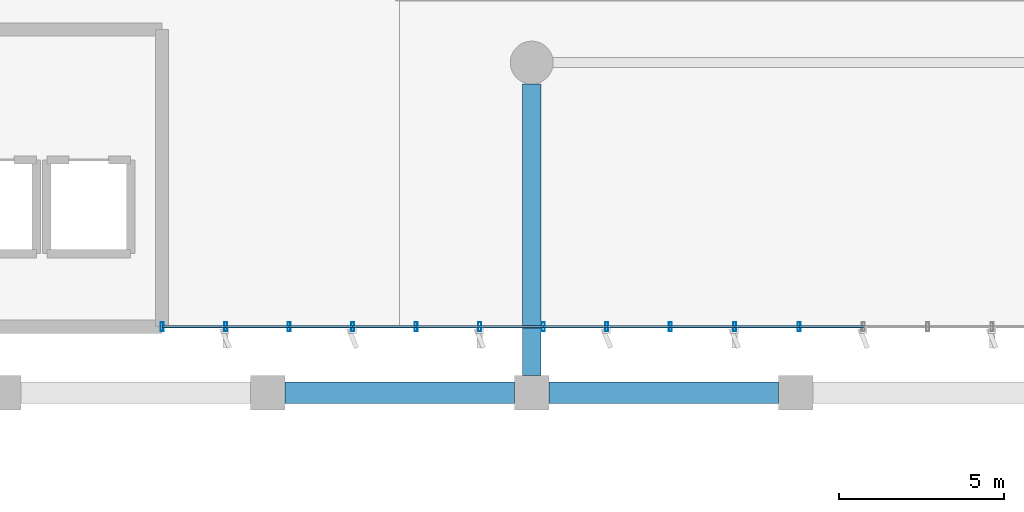
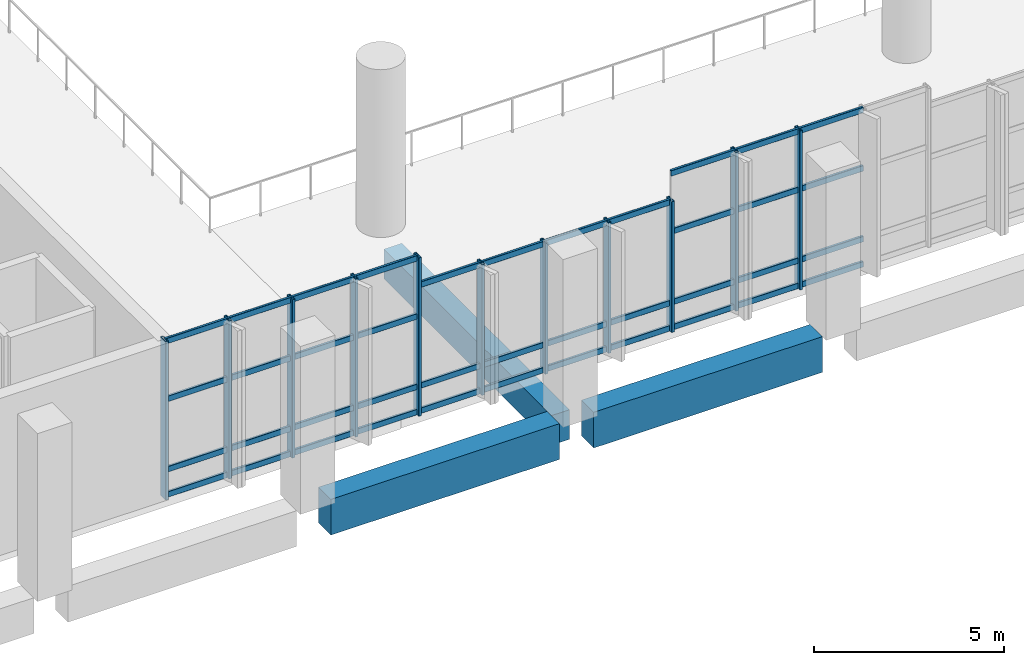
# One storey, part 32 of 176: 51 members, 3 beams, 3 elements without a shape of their own.
"""IFC4 building model written with IfcOpenShell, lengths in metres."""

from ifc_helpers import new_model, si_unit, direction, frame, origin, origin_2d, place, context, subcontext, project, spatial, rectangle, hollow_rectangle, extrude, material, layer, layer_set, material_profile, profile_set, type_object, element, aggregate, save


model = new_model("IFC4")

# Units and contexts
model_context = context("Model", 3, precision=1e-05, world=origin(), true_north=direction((0.0, 1.0)))
body_context = subcontext(model_context, "Body", "Model", "MODEL_VIEW")
ifc_project = project(units=[si_unit("LENGTHUNIT", "METRE"), si_unit("AREAUNIT", "SQUARE_METRE"), si_unit("VOLUMEUNIT", "CUBIC_METRE"), si_unit("PLANEANGLEUNIT", "RADIAN"), si_unit("MASSUNIT", "GRAM", prefix="KILO")], contexts=[model_context])

# Site, building, storey
site_placement = place(None, origin())
site = spatial("IfcSite", under=ifc_project, at=site_placement, CompositionType="ELEMENT")
building_placement = place(site_placement, origin())
building = spatial("IfcBuilding", under=site, at=building_placement, Name="Khorjan Park Terminus", CompositionType="ELEMENT")
storey_placement = place(building_placement, frame((0.0, 0.0, 6.0)))
storey = spatial("IfcBuildingStorey", under=building, at=storey_placement, Name="L01", CompositionType="ELEMENT", Elevation=6.0)

# Beam
ifc_material_1 = material(Name="Concrete C40/50", Category="concrete")
ifc_material_profile_1 = material_profile(ifc_material_1, rectangle(XDim=0.55, YDim=0.95, at=origin_2d()), Name="RC 550x950")
ifc_profile_set_1 = profile_set([ifc_material_profile_1], Name="Concrete C40/50")
beam_type_1 = type_object("IfcBeamType", Name="BM-RC550x950", PredefinedType="BEAM", material=ifc_profile_set_1)
beam_placement = place(storey_placement, frame((80.0, 26.52, -0.815), z_axis=(0.0, 1.0, 0.0), x_axis=(-1.0, 0.0, 0.0)))
element("IfcBeam", 1, at=beam_placement, inside=storey, type_object=beam_type_1, Name="Primary floor girder GB-95 (L01)", PredefinedType="BEAM", context=body_context, shape_type="SweptSolid", body=[
    extrude(rectangle(XDim=0.55, YDim=0.95, at=origin_2d()), origin(), (0.0, 0.0, 1.0), 8.835),
])

# Curtain wall, members
ifc_material_2 = material(Name="Anodized Bronze Aluminium", Category="aluminium")
ifc_layer = layer(ifc_material_2, 0.22)
ifc_layer_set = layer_set([ifc_layer], Name="Anodized Bronze Aluminium")
curtain_wall_type = type_object("IfcCurtainWallType", Name="CW-CONC-A", PredefinedType="NOTDEFINED", material=ifc_layer_set)
curtain_wall_1_placement = place(storey_placement, origin())
curtain_wall_1 = element("IfcCurtainWall", 2, at=curtain_wall_1_placement, inside=storey, type_object=curtain_wall_type, Name="Unitized curtain wall CW-A (CW-V2-S-L01-02)", PredefinedType="NOTDEFINED")
ifc_material_profile_2 = material_profile(ifc_material_2, hollow_rectangle(XDim=0.09, YDim=0.28, WallThickness=0.006, InnerFilletRadius=0.006, OuterFilletRadius=0.012, at=origin_2d()), Name="ALM 90x280x6")
ifc_profile_set_2 = profile_set([ifc_material_profile_2], Name="Anodized Bronze Aluminium")
member_type_1 = type_object("IfcMemberType", Name="ML-ALM-280", PredefinedType="MULLION", material=ifc_profile_set_2)
member_1_placement = place(storey_placement, frame((68.8, 28.0, -0.035), z_axis=(0.0, 0.0, 1.0), x_axis=(1.0, 0.0, 0.0)))
member_1 = element("IfcMember", 3, at=member_1_placement, type_object=member_type_1, Name="Curtain-wall mullion ML-28 (CW-V2-S-L01-02-0)", PredefinedType="MULLION", context=body_context, shape_type="SweptSolid", body=[
    extrude(hollow_rectangle(XDim=0.09, YDim=0.28, WallThickness=0.006, InnerFilletRadius=0.006, OuterFilletRadius=0.012, at=origin_2d()), origin(), (0.0, 0.0, 1.0), 5.095),
])
member_2_placement = place(storey_placement, frame((70.725, 28.0, -0.035), z_axis=(0.0, 0.0, 1.0), x_axis=(1.0, 0.0, 0.0)))
member_2 = element("IfcMember", 4, at=member_2_placement, type_object=member_type_1, Name="Curtain-wall mullion ML-28 (CW-V2-S-L01-02-1)", PredefinedType="MULLION", context=body_context, shape_type="SweptSolid", body=[
    extrude(hollow_rectangle(XDim=0.09, YDim=0.28, WallThickness=0.006, InnerFilletRadius=0.006, OuterFilletRadius=0.012, at=origin_2d()), origin(), (0.0, 0.0, 1.0), 5.095),
])
member_3_placement = place(storey_placement, frame((72.65, 28.0, -0.035), z_axis=(0.0, 0.0, 1.0), x_axis=(1.0, 0.0, 0.0)))
member_3 = element("IfcMember", 5, at=member_3_placement, type_object=member_type_1, Name="Curtain-wall mullion ML-28 (CW-V2-S-L01-02-2)", PredefinedType="MULLION", context=body_context, shape_type="SweptSolid", body=[
    extrude(hollow_rectangle(XDim=0.09, YDim=0.28, WallThickness=0.006, InnerFilletRadius=0.006, OuterFilletRadius=0.012, at=origin_2d()), origin(), (0.0, 0.0, 1.0), 5.095),
])
member_4_placement = place(storey_placement, frame((74.575, 28.0, -0.035), z_axis=(0.0, 0.0, 1.0), x_axis=(1.0, 0.0, 0.0)))
member_4 = element("IfcMember", 6, at=member_4_placement, type_object=member_type_1, Name="Curtain-wall mullion ML-28 (CW-V2-S-L01-02-3)", PredefinedType="MULLION", context=body_context, shape_type="SweptSolid", body=[
    extrude(hollow_rectangle(XDim=0.09, YDim=0.28, WallThickness=0.006, InnerFilletRadius=0.006, OuterFilletRadius=0.012, at=origin_2d()), origin(), (0.0, 0.0, 1.0), 5.095),
])
member_5_placement = place(storey_placement, frame((76.5, 28.0, -0.035), z_axis=(0.0, 0.0, 1.0), x_axis=(1.0, 0.0, 0.0)))
member_5 = element("IfcMember", 7, at=member_5_placement, type_object=member_type_1, Name="Curtain-wall mullion ML-28 (CW-V2-S-L01-02-4)", PredefinedType="MULLION", context=body_context, shape_type="SweptSolid", body=[
    extrude(hollow_rectangle(XDim=0.09, YDim=0.28, WallThickness=0.006, InnerFilletRadius=0.006, OuterFilletRadius=0.012, at=origin_2d()), origin(), (0.0, 0.0, 1.0), 5.095),
])

curtain_wall_2_placement = place(storey_placement, origin())
curtain_wall_2 = element("IfcCurtainWall", 8, at=curtain_wall_2_placement, inside=storey, type_object=curtain_wall_type, Name="Unitized curtain wall CW-A (CW-V2-S-L01-03)", PredefinedType="NOTDEFINED")
member_6_placement = place(storey_placement, frame((78.425, 28.0, -0.035), z_axis=(0.0, 0.0, 1.0), x_axis=(1.0, 0.0, 0.0)))
member_6 = element("IfcMember", 9, at=member_6_placement, type_object=member_type_1, Name="Curtain-wall mullion ML-28 (CW-V2-S-L01-03-1)", PredefinedType="MULLION", context=body_context, shape_type="SweptSolid", body=[
    extrude(hollow_rectangle(XDim=0.09, YDim=0.28, WallThickness=0.006, InnerFilletRadius=0.006, OuterFilletRadius=0.012, at=origin_2d()), origin(), (0.0, 0.0, 1.0), 4.205),
])
member_7_placement = place(storey_placement, frame((80.35, 28.0, -0.035), z_axis=(0.0, 0.0, 1.0), x_axis=(1.0, 0.0, 0.0)))
member_7 = element("IfcMember", 10, at=member_7_placement, type_object=member_type_1, Name="Curtain-wall mullion ML-28 (CW-V2-S-L01-03-2)", PredefinedType="MULLION", context=body_context, shape_type="SweptSolid", body=[
    extrude(hollow_rectangle(XDim=0.09, YDim=0.28, WallThickness=0.006, InnerFilletRadius=0.006, OuterFilletRadius=0.012, at=origin_2d()), origin(), (0.0, 0.0, 1.0), 4.205),
])
member_8_placement = place(storey_placement, frame((82.275, 28.0, -0.035), z_axis=(0.0, 0.0, 1.0), x_axis=(1.0, 0.0, 0.0)))
member_8 = element("IfcMember", 11, at=member_8_placement, type_object=member_type_1, Name="Curtain-wall mullion ML-28 (CW-V2-S-L01-03-3)", PredefinedType="MULLION", context=body_context, shape_type="SweptSolid", body=[
    extrude(hollow_rectangle(XDim=0.09, YDim=0.28, WallThickness=0.006, InnerFilletRadius=0.006, OuterFilletRadius=0.012, at=origin_2d()), origin(), (0.0, 0.0, 1.0), 4.205),
])
member_9_placement = place(storey_placement, frame((84.2, 28.0, -0.035), z_axis=(0.0, 0.0, 1.0), x_axis=(1.0, 0.0, 0.0)))
member_9 = element("IfcMember", 12, at=member_9_placement, type_object=member_type_1, Name="Curtain-wall mullion ML-28 (CW-V2-S-L01-03-4)", PredefinedType="MULLION", context=body_context, shape_type="SweptSolid", body=[
    extrude(hollow_rectangle(XDim=0.09, YDim=0.28, WallThickness=0.006, InnerFilletRadius=0.006, OuterFilletRadius=0.012, at=origin_2d()), origin(), (0.0, 0.0, 1.0), 4.205),
])

curtain_wall_3_placement = place(storey_placement, origin())
curtain_wall_3 = element("IfcCurtainWall", 13, at=curtain_wall_3_placement, inside=storey, type_object=curtain_wall_type, Name="Unitized curtain wall CW-A (CW-V2-S-L01-04)", PredefinedType="NOTDEFINED")
member_10_placement = place(storey_placement, frame((86.15, 28.0, -0.035), z_axis=(0.0, 0.0, 1.0), x_axis=(1.0, 0.0, 0.0)))
member_10 = element("IfcMember", 14, at=member_10_placement, type_object=member_type_1, Name="Curtain-wall mullion ML-28 (CW-V2-S-L01-04-1)", PredefinedType="MULLION", context=body_context, shape_type="SweptSolid", body=[
    extrude(hollow_rectangle(XDim=0.09, YDim=0.28, WallThickness=0.006, InnerFilletRadius=0.006, OuterFilletRadius=0.012, at=origin_2d()), origin(), (0.0, 0.0, 1.0), 5.115),
])
member_11_placement = place(storey_placement, frame((88.1, 28.0, -0.035), z_axis=(0.0, 0.0, 1.0), x_axis=(1.0, 0.0, 0.0)))
member_11 = element("IfcMember", 15, at=member_11_placement, type_object=member_type_1, Name="Curtain-wall mullion ML-28 (CW-V2-S-L01-04-2)", PredefinedType="MULLION", context=body_context, shape_type="SweptSolid", body=[
    extrude(hollow_rectangle(XDim=0.09, YDim=0.28, WallThickness=0.006, InnerFilletRadius=0.006, OuterFilletRadius=0.012, at=origin_2d()), origin(), (0.0, 0.0, 1.0), 5.115),
])

# Beams
ifc_material_3 = material(Name="Concrete C50/60", Category="concrete")
ifc_material_profile_3 = material_profile(ifc_material_3, rectangle(XDim=0.65, YDim=1.15, at=origin_2d()), Name="RC 650x1150")
ifc_profile_set_3 = profile_set([ifc_material_profile_3], Name="Concrete C50/60")
beam_type_2 = type_object("IfcBeamType", Name="SP-RC650x1150", PredefinedType="SPANDREL", material=ifc_profile_set_3)
for number, where, z_axis, x_axis, name in (
    (16, (72.52, 26.0, -0.575), (1.0, 0.0, 0.0), (0.0, 1.0, 0.0), "Concourse lower colonnade ring beam SP-11 (L01-7)"),
    (17, (80.52, 26.0, -0.575), (1.0, 0.0, 0.0), (0.0, 1.0, 0.0), "Concourse lower colonnade ring beam SP-11 (L01-9)"),
):
    element("IfcBeam", number, at=place(storey_placement, frame(where, z_axis=z_axis, x_axis=x_axis)), inside=storey, type_object=beam_type_2, Name=name, PredefinedType="SPANDREL", context=body_context, shape_type="SweptSolid", body=[
        extrude(rectangle(XDim=0.65, YDim=1.15, at=origin_2d()), origin(), (0.0, 0.0, 1.0), 6.96),
    ])

# Member
ifc_material_profile_4 = material_profile(ifc_material_2, hollow_rectangle(XDim=0.075, YDim=0.185, WallThickness=0.005, InnerFilletRadius=0.005, OuterFilletRadius=0.01, at=origin_2d()), Name="ALT 75x185x5")
ifc_profile_set_4 = profile_set([ifc_material_profile_4], Name="Anodized Bronze Aluminium")
member_type_2 = type_object("IfcMemberType", Name="TR-ALT-185", PredefinedType="USERDEFINED", material=ifc_profile_set_4)
member_12_placement = place(storey_placement, frame((68.8, 28.0, 0.04), z_axis=(1.0, 0.0, 0.0), x_axis=(0.0, 1.0, 0.0)))
member_12 = element("IfcMember", 18, at=member_12_placement, type_object=member_type_2, Name="Curtain-wall transom TR-18 (CW-V2-S-L01-02-0-1)", ObjectType="TRANSOM", PredefinedType="USERDEFINED", context=body_context, shape_type="SweptSolid", body=[
    extrude(hollow_rectangle(XDim=0.075, YDim=0.185, WallThickness=0.005, InnerFilletRadius=0.005, OuterFilletRadius=0.01, at=origin_2d()), origin(), (0.0, 0.0, 1.0), 1.925),
])

member_13_placement = place(storey_placement, frame((68.8, 28.0, 0.85), z_axis=(1.0, 0.0, 0.0), x_axis=(0.0, 1.0, 0.0)))
member_13 = element("IfcMember", 19, at=member_13_placement, type_object=member_type_2, Name="Curtain-wall transom TR-18 (CW-V2-S-L01-02-0-2)", ObjectType="TRANSOM", PredefinedType="USERDEFINED", context=body_context, shape_type="SweptSolid", body=[
    extrude(hollow_rectangle(XDim=0.075, YDim=0.185, WallThickness=0.005, InnerFilletRadius=0.005, OuterFilletRadius=0.01, at=origin_2d()), origin(), (0.0, 0.0, 1.0), 1.925),
])

member_14_placement = place(storey_placement, frame((68.8, 28.0, 3.1155), z_axis=(1.0, 0.0, 0.0), x_axis=(0.0, 1.0, 0.0)))
member_14 = element("IfcMember", 20, at=member_14_placement, type_object=member_type_2, Name="Curtain-wall transom TR-18 (CW-V2-S-L01-02-0-3)", ObjectType="TRANSOM", PredefinedType="USERDEFINED", context=body_context, shape_type="SweptSolid", body=[
    extrude(hollow_rectangle(XDim=0.075, YDim=0.185, WallThickness=0.005, InnerFilletRadius=0.005, OuterFilletRadius=0.01, at=origin_2d()), origin(), (0.0, 0.0, 1.0), 1.925),
])

member_15_placement = place(storey_placement, frame((68.8, 28.0, 4.985), z_axis=(1.0, 0.0, 0.0), x_axis=(0.0, 1.0, 0.0)))
member_15 = element("IfcMember", 21, at=member_15_placement, type_object=member_type_2, Name="Curtain-wall transom TR-18 (CW-V2-S-L01-02-0-4)", ObjectType="TRANSOM", PredefinedType="USERDEFINED", context=body_context, shape_type="SweptSolid", body=[
    extrude(hollow_rectangle(XDim=0.075, YDim=0.185, WallThickness=0.005, InnerFilletRadius=0.005, OuterFilletRadius=0.01, at=origin_2d()), origin(), (0.0, 0.0, 1.0), 1.925),
])

member_16_placement = place(storey_placement, frame((70.725, 28.0, 0.04), z_axis=(1.0, 0.0, 0.0), x_axis=(0.0, 1.0, 0.0)))
member_16 = element("IfcMember", 22, at=member_16_placement, type_object=member_type_2, Name="Curtain-wall transom TR-18 (CW-V2-S-L01-02-1-1)", ObjectType="TRANSOM", PredefinedType="USERDEFINED", context=body_context, shape_type="SweptSolid", body=[
    extrude(hollow_rectangle(XDim=0.075, YDim=0.185, WallThickness=0.005, InnerFilletRadius=0.005, OuterFilletRadius=0.01, at=origin_2d()), origin(), (0.0, 0.0, 1.0), 1.925),
])

member_17_placement = place(storey_placement, frame((70.725, 28.0, 0.85), z_axis=(1.0, 0.0, 0.0), x_axis=(0.0, 1.0, 0.0)))
member_17 = element("IfcMember", 23, at=member_17_placement, type_object=member_type_2, Name="Curtain-wall transom TR-18 (CW-V2-S-L01-02-1-2)", ObjectType="TRANSOM", PredefinedType="USERDEFINED", context=body_context, shape_type="SweptSolid", body=[
    extrude(hollow_rectangle(XDim=0.075, YDim=0.185, WallThickness=0.005, InnerFilletRadius=0.005, OuterFilletRadius=0.01, at=origin_2d()), origin(), (0.0, 0.0, 1.0), 1.925),
])

member_18_placement = place(storey_placement, frame((70.725, 28.0, 3.1155), z_axis=(1.0, 0.0, 0.0), x_axis=(0.0, 1.0, 0.0)))
member_18 = element("IfcMember", 24, at=member_18_placement, type_object=member_type_2, Name="Curtain-wall transom TR-18 (CW-V2-S-L01-02-1-3)", ObjectType="TRANSOM", PredefinedType="USERDEFINED", context=body_context, shape_type="SweptSolid", body=[
    extrude(hollow_rectangle(XDim=0.075, YDim=0.185, WallThickness=0.005, InnerFilletRadius=0.005, OuterFilletRadius=0.01, at=origin_2d()), origin(), (0.0, 0.0, 1.0), 1.925),
])

member_19_placement = place(storey_placement, frame((70.725, 28.0, 4.985), z_axis=(1.0, 0.0, 0.0), x_axis=(0.0, 1.0, 0.0)))
member_19 = element("IfcMember", 25, at=member_19_placement, type_object=member_type_2, Name="Curtain-wall transom TR-18 (CW-V2-S-L01-02-1-4)", ObjectType="TRANSOM", PredefinedType="USERDEFINED", context=body_context, shape_type="SweptSolid", body=[
    extrude(hollow_rectangle(XDim=0.075, YDim=0.185, WallThickness=0.005, InnerFilletRadius=0.005, OuterFilletRadius=0.01, at=origin_2d()), origin(), (0.0, 0.0, 1.0), 1.925),
])

member_20_placement = place(storey_placement, frame((72.65, 28.0, 0.04), z_axis=(1.0, 0.0, 0.0), x_axis=(0.0, 1.0, 0.0)))
member_20 = element("IfcMember", 26, at=member_20_placement, type_object=member_type_2, Name="Curtain-wall transom TR-18 (CW-V2-S-L01-02-2-1)", ObjectType="TRANSOM", PredefinedType="USERDEFINED", context=body_context, shape_type="SweptSolid", body=[
    extrude(hollow_rectangle(XDim=0.075, YDim=0.185, WallThickness=0.005, InnerFilletRadius=0.005, OuterFilletRadius=0.01, at=origin_2d()), origin(), (0.0, 0.0, 1.0), 1.925),
])

member_21_placement = place(storey_placement, frame((72.65, 28.0, 0.85), z_axis=(1.0, 0.0, 0.0), x_axis=(0.0, 1.0, 0.0)))
member_21 = element("IfcMember", 27, at=member_21_placement, type_object=member_type_2, Name="Curtain-wall transom TR-18 (CW-V2-S-L01-02-2-2)", ObjectType="TRANSOM", PredefinedType="USERDEFINED", context=body_context, shape_type="SweptSolid", body=[
    extrude(hollow_rectangle(XDim=0.075, YDim=0.185, WallThickness=0.005, InnerFilletRadius=0.005, OuterFilletRadius=0.01, at=origin_2d()), origin(), (0.0, 0.0, 1.0), 1.925),
])

member_22_placement = place(storey_placement, frame((72.65, 28.0, 3.1155), z_axis=(1.0, 0.0, 0.0), x_axis=(0.0, 1.0, 0.0)))
member_22 = element("IfcMember", 28, at=member_22_placement, type_object=member_type_2, Name="Curtain-wall transom TR-18 (CW-V2-S-L01-02-2-3)", ObjectType="TRANSOM", PredefinedType="USERDEFINED", context=body_context, shape_type="SweptSolid", body=[
    extrude(hollow_rectangle(XDim=0.075, YDim=0.185, WallThickness=0.005, InnerFilletRadius=0.005, OuterFilletRadius=0.01, at=origin_2d()), origin(), (0.0, 0.0, 1.0), 1.925),
])

member_23_placement = place(storey_placement, frame((72.65, 28.0, 4.985), z_axis=(1.0, 0.0, 0.0), x_axis=(0.0, 1.0, 0.0)))
member_23 = element("IfcMember", 29, at=member_23_placement, type_object=member_type_2, Name="Curtain-wall transom TR-18 (CW-V2-S-L01-02-2-4)", ObjectType="TRANSOM", PredefinedType="USERDEFINED", context=body_context, shape_type="SweptSolid", body=[
    extrude(hollow_rectangle(XDim=0.075, YDim=0.185, WallThickness=0.005, InnerFilletRadius=0.005, OuterFilletRadius=0.01, at=origin_2d()), origin(), (0.0, 0.0, 1.0), 1.925),
])

member_24_placement = place(storey_placement, frame((74.575, 28.0, 0.04), z_axis=(1.0, 0.0, 0.0), x_axis=(0.0, 1.0, 0.0)))
member_24 = element("IfcMember", 30, at=member_24_placement, type_object=member_type_2, Name="Curtain-wall transom TR-18 (CW-V2-S-L01-02-3-1)", ObjectType="TRANSOM", PredefinedType="USERDEFINED", context=body_context, shape_type="SweptSolid", body=[
    extrude(hollow_rectangle(XDim=0.075, YDim=0.185, WallThickness=0.005, InnerFilletRadius=0.005, OuterFilletRadius=0.01, at=origin_2d()), origin(), (0.0, 0.0, 1.0), 1.925),
])

member_25_placement = place(storey_placement, frame((74.575, 28.0, 0.85), z_axis=(1.0, 0.0, 0.0), x_axis=(0.0, 1.0, 0.0)))
member_25 = element("IfcMember", 31, at=member_25_placement, type_object=member_type_2, Name="Curtain-wall transom TR-18 (CW-V2-S-L01-02-3-2)", ObjectType="TRANSOM", PredefinedType="USERDEFINED", context=body_context, shape_type="SweptSolid", body=[
    extrude(hollow_rectangle(XDim=0.075, YDim=0.185, WallThickness=0.005, InnerFilletRadius=0.005, OuterFilletRadius=0.01, at=origin_2d()), origin(), (0.0, 0.0, 1.0), 1.925),
])

member_26_placement = place(storey_placement, frame((74.575, 28.0, 3.1155), z_axis=(1.0, 0.0, 0.0), x_axis=(0.0, 1.0, 0.0)))
member_26 = element("IfcMember", 32, at=member_26_placement, type_object=member_type_2, Name="Curtain-wall transom TR-18 (CW-V2-S-L01-02-3-3)", ObjectType="TRANSOM", PredefinedType="USERDEFINED", context=body_context, shape_type="SweptSolid", body=[
    extrude(hollow_rectangle(XDim=0.075, YDim=0.185, WallThickness=0.005, InnerFilletRadius=0.005, OuterFilletRadius=0.01, at=origin_2d()), origin(), (0.0, 0.0, 1.0), 1.925),
])

member_27_placement = place(storey_placement, frame((74.575, 28.0, 4.985), z_axis=(1.0, 0.0, 0.0), x_axis=(0.0, 1.0, 0.0)))
member_27 = element("IfcMember", 33, at=member_27_placement, type_object=member_type_2, Name="Curtain-wall transom TR-18 (CW-V2-S-L01-02-3-4)", ObjectType="TRANSOM", PredefinedType="USERDEFINED", context=body_context, shape_type="SweptSolid", body=[
    extrude(hollow_rectangle(XDim=0.075, YDim=0.185, WallThickness=0.005, InnerFilletRadius=0.005, OuterFilletRadius=0.01, at=origin_2d()), origin(), (0.0, 0.0, 1.0), 1.925),
])

aggregate(curtain_wall_1, [member_1, member_2, member_3, member_4, member_5, member_12, member_13, member_14, member_15, member_16, member_17, member_18, member_19, member_20, member_21, member_22, member_23, member_24, member_25, member_26, member_27])

member_28_placement = place(storey_placement, frame((76.5, 28.0, 0.04), z_axis=(1.0, 0.0, 0.0), x_axis=(0.0, 1.0, 0.0)))
member_28 = element("IfcMember", 34, at=member_28_placement, type_object=member_type_2, Name="Curtain-wall transom TR-18 (CW-V2-S-L01-03-0-1)", ObjectType="TRANSOM", PredefinedType="USERDEFINED", context=body_context, shape_type="SweptSolid", body=[
    extrude(hollow_rectangle(XDim=0.075, YDim=0.185, WallThickness=0.005, InnerFilletRadius=0.005, OuterFilletRadius=0.01, at=origin_2d()), origin(), (0.0, 0.0, 1.0), 1.925),
])

member_29_placement = place(storey_placement, frame((76.5, 28.0, 0.85), z_axis=(1.0, 0.0, 0.0), x_axis=(0.0, 1.0, 0.0)))
member_29 = element("IfcMember", 35, at=member_29_placement, type_object=member_type_2, Name="Curtain-wall transom TR-18 (CW-V2-S-L01-03-0-2)", ObjectType="TRANSOM", PredefinedType="USERDEFINED", context=body_context, shape_type="SweptSolid", body=[
    extrude(hollow_rectangle(XDim=0.075, YDim=0.185, WallThickness=0.005, InnerFilletRadius=0.005, OuterFilletRadius=0.01, at=origin_2d()), origin(), (0.0, 0.0, 1.0), 1.925),
])

member_30_placement = place(storey_placement, frame((76.5, 28.0, 4.095), z_axis=(1.0, 0.0, 0.0), x_axis=(0.0, 1.0, 0.0)))
member_30 = element("IfcMember", 36, at=member_30_placement, type_object=member_type_2, Name="Curtain-wall transom TR-18 (CW-V2-S-L01-03-0-3)", ObjectType="TRANSOM", PredefinedType="USERDEFINED", context=body_context, shape_type="SweptSolid", body=[
    extrude(hollow_rectangle(XDim=0.075, YDim=0.185, WallThickness=0.005, InnerFilletRadius=0.005, OuterFilletRadius=0.01, at=origin_2d()), origin(), (0.0, 0.0, 1.0), 1.925),
])

member_31_placement = place(storey_placement, frame((78.425, 28.0, 0.04), z_axis=(1.0, 0.0, 0.0), x_axis=(0.0, 1.0, 0.0)))
member_31 = element("IfcMember", 37, at=member_31_placement, type_object=member_type_2, Name="Curtain-wall transom TR-18 (CW-V2-S-L01-03-1-1)", ObjectType="TRANSOM", PredefinedType="USERDEFINED", context=body_context, shape_type="SweptSolid", body=[
    extrude(hollow_rectangle(XDim=0.075, YDim=0.185, WallThickness=0.005, InnerFilletRadius=0.005, OuterFilletRadius=0.01, at=origin_2d()), origin(), (0.0, 0.0, 1.0), 1.925),
])

member_32_placement = place(storey_placement, frame((78.425, 28.0, 0.85), z_axis=(1.0, 0.0, 0.0), x_axis=(0.0, 1.0, 0.0)))
member_32 = element("IfcMember", 38, at=member_32_placement, type_object=member_type_2, Name="Curtain-wall transom TR-18 (CW-V2-S-L01-03-1-2)", ObjectType="TRANSOM", PredefinedType="USERDEFINED", context=body_context, shape_type="SweptSolid", body=[
    extrude(hollow_rectangle(XDim=0.075, YDim=0.185, WallThickness=0.005, InnerFilletRadius=0.005, OuterFilletRadius=0.01, at=origin_2d()), origin(), (0.0, 0.0, 1.0), 1.925),
])

member_33_placement = place(storey_placement, frame((78.425, 28.0, 4.095), z_axis=(1.0, 0.0, 0.0), x_axis=(0.0, 1.0, 0.0)))
member_33 = element("IfcMember", 39, at=member_33_placement, type_object=member_type_2, Name="Curtain-wall transom TR-18 (CW-V2-S-L01-03-1-3)", ObjectType="TRANSOM", PredefinedType="USERDEFINED", context=body_context, shape_type="SweptSolid", body=[
    extrude(hollow_rectangle(XDim=0.075, YDim=0.185, WallThickness=0.005, InnerFilletRadius=0.005, OuterFilletRadius=0.01, at=origin_2d()), origin(), (0.0, 0.0, 1.0), 1.925),
])

member_34_placement = place(storey_placement, frame((80.35, 28.0, 0.04), z_axis=(1.0, 0.0, 0.0), x_axis=(0.0, 1.0, 0.0)))
member_34 = element("IfcMember", 40, at=member_34_placement, type_object=member_type_2, Name="Curtain-wall transom TR-18 (CW-V2-S-L01-03-2-1)", ObjectType="TRANSOM", PredefinedType="USERDEFINED", context=body_context, shape_type="SweptSolid", body=[
    extrude(hollow_rectangle(XDim=0.075, YDim=0.185, WallThickness=0.005, InnerFilletRadius=0.005, OuterFilletRadius=0.01, at=origin_2d()), origin(), (0.0, 0.0, 1.0), 1.925),
])

member_35_placement = place(storey_placement, frame((80.35, 28.0, 0.85), z_axis=(1.0, 0.0, 0.0), x_axis=(0.0, 1.0, 0.0)))
member_35 = element("IfcMember", 41, at=member_35_placement, type_object=member_type_2, Name="Curtain-wall transom TR-18 (CW-V2-S-L01-03-2-2)", ObjectType="TRANSOM", PredefinedType="USERDEFINED", context=body_context, shape_type="SweptSolid", body=[
    extrude(hollow_rectangle(XDim=0.075, YDim=0.185, WallThickness=0.005, InnerFilletRadius=0.005, OuterFilletRadius=0.01, at=origin_2d()), origin(), (0.0, 0.0, 1.0), 1.925),
])

member_36_placement = place(storey_placement, frame((80.35, 28.0, 4.095), z_axis=(1.0, 0.0, 0.0), x_axis=(0.0, 1.0, 0.0)))
member_36 = element("IfcMember", 42, at=member_36_placement, type_object=member_type_2, Name="Curtain-wall transom TR-18 (CW-V2-S-L01-03-2-3)", ObjectType="TRANSOM", PredefinedType="USERDEFINED", context=body_context, shape_type="SweptSolid", body=[
    extrude(hollow_rectangle(XDim=0.075, YDim=0.185, WallThickness=0.005, InnerFilletRadius=0.005, OuterFilletRadius=0.01, at=origin_2d()), origin(), (0.0, 0.0, 1.0), 1.925),
])

member_37_placement = place(storey_placement, frame((82.275, 28.0, 0.04), z_axis=(1.0, 0.0, 0.0), x_axis=(0.0, 1.0, 0.0)))
member_37 = element("IfcMember", 43, at=member_37_placement, type_object=member_type_2, Name="Curtain-wall transom TR-18 (CW-V2-S-L01-03-3-1)", ObjectType="TRANSOM", PredefinedType="USERDEFINED", context=body_context, shape_type="SweptSolid", body=[
    extrude(hollow_rectangle(XDim=0.075, YDim=0.185, WallThickness=0.005, InnerFilletRadius=0.005, OuterFilletRadius=0.01, at=origin_2d()), origin(), (0.0, 0.0, 1.0), 1.925),
])

member_38_placement = place(storey_placement, frame((82.275, 28.0, 0.85), z_axis=(1.0, 0.0, 0.0), x_axis=(0.0, 1.0, 0.0)))
member_38 = element("IfcMember", 44, at=member_38_placement, type_object=member_type_2, Name="Curtain-wall transom TR-18 (CW-V2-S-L01-03-3-2)", ObjectType="TRANSOM", PredefinedType="USERDEFINED", context=body_context, shape_type="SweptSolid", body=[
    extrude(hollow_rectangle(XDim=0.075, YDim=0.185, WallThickness=0.005, InnerFilletRadius=0.005, OuterFilletRadius=0.01, at=origin_2d()), origin(), (0.0, 0.0, 1.0), 1.925),
])

member_39_placement = place(storey_placement, frame((82.275, 28.0, 4.095), z_axis=(1.0, 0.0, 0.0), x_axis=(0.0, 1.0, 0.0)))
member_39 = element("IfcMember", 45, at=member_39_placement, type_object=member_type_2, Name="Curtain-wall transom TR-18 (CW-V2-S-L01-03-3-3)", ObjectType="TRANSOM", PredefinedType="USERDEFINED", context=body_context, shape_type="SweptSolid", body=[
    extrude(hollow_rectangle(XDim=0.075, YDim=0.185, WallThickness=0.005, InnerFilletRadius=0.005, OuterFilletRadius=0.01, at=origin_2d()), origin(), (0.0, 0.0, 1.0), 1.925),
])

aggregate(curtain_wall_2, [member_6, member_7, member_8, member_9, member_28, member_29, member_30, member_31, member_32, member_33, member_34, member_35, member_36, member_37, member_38, member_39])

member_40_placement = place(storey_placement, frame((84.2, 28.0, 0.04), z_axis=(1.0, 0.0, 0.0), x_axis=(0.0, 1.0, 0.0)))
member_40 = element("IfcMember", 46, at=member_40_placement, type_object=member_type_2, Name="Curtain-wall transom TR-18 (CW-V2-S-L01-04-0-1)", ObjectType="TRANSOM", PredefinedType="USERDEFINED", context=body_context, shape_type="SweptSolid", body=[
    extrude(hollow_rectangle(XDim=0.075, YDim=0.185, WallThickness=0.005, InnerFilletRadius=0.005, OuterFilletRadius=0.01, at=origin_2d()), origin(), (0.0, 0.0, 1.0), 1.95),
])

member_41_placement = place(storey_placement, frame((84.2, 28.0, 0.85), z_axis=(1.0, 0.0, 0.0), x_axis=(0.0, 1.0, 0.0)))
member_41 = element("IfcMember", 47, at=member_41_placement, type_object=member_type_2, Name="Curtain-wall transom TR-18 (CW-V2-S-L01-04-0-2)", ObjectType="TRANSOM", PredefinedType="USERDEFINED", context=body_context, shape_type="SweptSolid", body=[
    extrude(hollow_rectangle(XDim=0.075, YDim=0.185, WallThickness=0.005, InnerFilletRadius=0.005, OuterFilletRadius=0.01, at=origin_2d()), origin(), (0.0, 0.0, 1.0), 1.95),
])

member_42_placement = place(storey_placement, frame((84.2, 28.0, 3.1279), z_axis=(1.0, 0.0, 0.0), x_axis=(0.0, 1.0, 0.0)))
member_42 = element("IfcMember", 48, at=member_42_placement, type_object=member_type_2, Name="Curtain-wall transom TR-18 (CW-V2-S-L01-04-0-3)", ObjectType="TRANSOM", PredefinedType="USERDEFINED", context=body_context, shape_type="SweptSolid", body=[
    extrude(hollow_rectangle(XDim=0.075, YDim=0.185, WallThickness=0.005, InnerFilletRadius=0.005, OuterFilletRadius=0.01, at=origin_2d()), origin(), (0.0, 0.0, 1.0), 1.95),
])

member_43_placement = place(storey_placement, frame((84.2, 28.0, 5.005), z_axis=(1.0, 0.0, 0.0), x_axis=(0.0, 1.0, 0.0)))
member_43 = element("IfcMember", 49, at=member_43_placement, type_object=member_type_2, Name="Curtain-wall transom TR-18 (CW-V2-S-L01-04-0-4)", ObjectType="TRANSOM", PredefinedType="USERDEFINED", context=body_context, shape_type="SweptSolid", body=[
    extrude(hollow_rectangle(XDim=0.075, YDim=0.185, WallThickness=0.005, InnerFilletRadius=0.005, OuterFilletRadius=0.01, at=origin_2d()), origin(), (0.0, 0.0, 1.0), 1.95),
])

member_44_placement = place(storey_placement, frame((86.15, 28.0, 0.04), z_axis=(1.0, 0.0, 0.0), x_axis=(0.0, 1.0, 0.0)))
member_44 = element("IfcMember", 50, at=member_44_placement, type_object=member_type_2, Name="Curtain-wall transom TR-18 (CW-V2-S-L01-04-1-1)", ObjectType="TRANSOM", PredefinedType="USERDEFINED", context=body_context, shape_type="SweptSolid", body=[
    extrude(hollow_rectangle(XDim=0.075, YDim=0.185, WallThickness=0.005, InnerFilletRadius=0.005, OuterFilletRadius=0.01, at=origin_2d()), origin(), (0.0, 0.0, 1.0), 1.95),
])

member_45_placement = place(storey_placement, frame((86.15, 28.0, 0.85), z_axis=(1.0, 0.0, 0.0), x_axis=(0.0, 1.0, 0.0)))
member_45 = element("IfcMember", 51, at=member_45_placement, type_object=member_type_2, Name="Curtain-wall transom TR-18 (CW-V2-S-L01-04-1-2)", ObjectType="TRANSOM", PredefinedType="USERDEFINED", context=body_context, shape_type="SweptSolid", body=[
    extrude(hollow_rectangle(XDim=0.075, YDim=0.185, WallThickness=0.005, InnerFilletRadius=0.005, OuterFilletRadius=0.01, at=origin_2d()), origin(), (0.0, 0.0, 1.0), 1.95),
])

member_46_placement = place(storey_placement, frame((86.15, 28.0, 3.1279), z_axis=(1.0, 0.0, 0.0), x_axis=(0.0, 1.0, 0.0)))
member_46 = element("IfcMember", 52, at=member_46_placement, type_object=member_type_2, Name="Curtain-wall transom TR-18 (CW-V2-S-L01-04-1-3)", ObjectType="TRANSOM", PredefinedType="USERDEFINED", context=body_context, shape_type="SweptSolid", body=[
    extrude(hollow_rectangle(XDim=0.075, YDim=0.185, WallThickness=0.005, InnerFilletRadius=0.005, OuterFilletRadius=0.01, at=origin_2d()), origin(), (0.0, 0.0, 1.0), 1.95),
])

member_47_placement = place(storey_placement, frame((86.15, 28.0, 5.005), z_axis=(1.0, 0.0, 0.0), x_axis=(0.0, 1.0, 0.0)))
member_47 = element("IfcMember", 53, at=member_47_placement, type_object=member_type_2, Name="Curtain-wall transom TR-18 (CW-V2-S-L01-04-1-4)", ObjectType="TRANSOM", PredefinedType="USERDEFINED", context=body_context, shape_type="SweptSolid", body=[
    extrude(hollow_rectangle(XDim=0.075, YDim=0.185, WallThickness=0.005, InnerFilletRadius=0.005, OuterFilletRadius=0.01, at=origin_2d()), origin(), (0.0, 0.0, 1.0), 1.95),
])

member_48_placement = place(storey_placement, frame((88.1, 28.0, 0.04), z_axis=(1.0, 0.0, 0.0), x_axis=(0.0, 1.0, 0.0)))
member_48 = element("IfcMember", 54, at=member_48_placement, type_object=member_type_2, Name="Curtain-wall transom TR-18 (CW-V2-S-L01-04-2-1)", ObjectType="TRANSOM", PredefinedType="USERDEFINED", context=body_context, shape_type="SweptSolid", body=[
    extrude(hollow_rectangle(XDim=0.075, YDim=0.185, WallThickness=0.005, InnerFilletRadius=0.005, OuterFilletRadius=0.01, at=origin_2d()), origin(), (0.0, 0.0, 1.0), 1.95),
])

member_49_placement = place(storey_placement, frame((88.1, 28.0, 0.85), z_axis=(1.0, 0.0, 0.0), x_axis=(0.0, 1.0, 0.0)))
member_49 = element("IfcMember", 55, at=member_49_placement, type_object=member_type_2, Name="Curtain-wall transom TR-18 (CW-V2-S-L01-04-2-2)", ObjectType="TRANSOM", PredefinedType="USERDEFINED", context=body_context, shape_type="SweptSolid", body=[
    extrude(hollow_rectangle(XDim=0.075, YDim=0.185, WallThickness=0.005, InnerFilletRadius=0.005, OuterFilletRadius=0.01, at=origin_2d()), origin(), (0.0, 0.0, 1.0), 1.95),
])

member_50_placement = place(storey_placement, frame((88.1, 28.0, 3.1279), z_axis=(1.0, 0.0, 0.0), x_axis=(0.0, 1.0, 0.0)))
member_50 = element("IfcMember", 56, at=member_50_placement, type_object=member_type_2, Name="Curtain-wall transom TR-18 (CW-V2-S-L01-04-2-3)", ObjectType="TRANSOM", PredefinedType="USERDEFINED", context=body_context, shape_type="SweptSolid", body=[
    extrude(hollow_rectangle(XDim=0.075, YDim=0.185, WallThickness=0.005, InnerFilletRadius=0.005, OuterFilletRadius=0.01, at=origin_2d()), origin(), (0.0, 0.0, 1.0), 1.95),
])

member_51_placement = place(storey_placement, frame((88.1, 28.0, 5.005), z_axis=(1.0, 0.0, 0.0), x_axis=(0.0, 1.0, 0.0)))
member_51 = element("IfcMember", 57, at=member_51_placement, type_object=member_type_2, Name="Curtain-wall transom TR-18 (CW-V2-S-L01-04-2-4)", ObjectType="TRANSOM", PredefinedType="USERDEFINED", context=body_context, shape_type="SweptSolid", body=[
    extrude(hollow_rectangle(XDim=0.075, YDim=0.185, WallThickness=0.005, InnerFilletRadius=0.005, OuterFilletRadius=0.01, at=origin_2d()), origin(), (0.0, 0.0, 1.0), 1.95),
])

aggregate(curtain_wall_3, [member_10, member_11, member_40, member_41, member_42, member_43, member_44, member_45, member_46, member_47, member_48, member_49, member_50, member_51])

save(model, "model.ifc")
